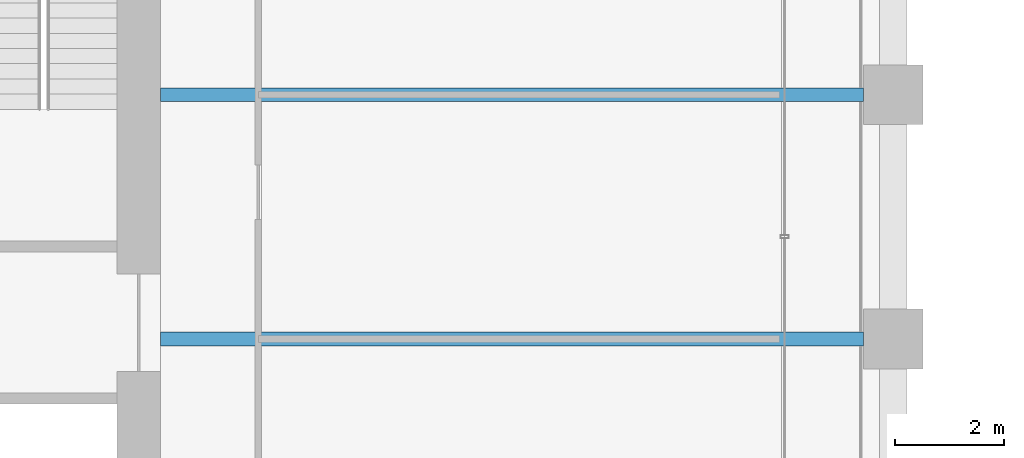
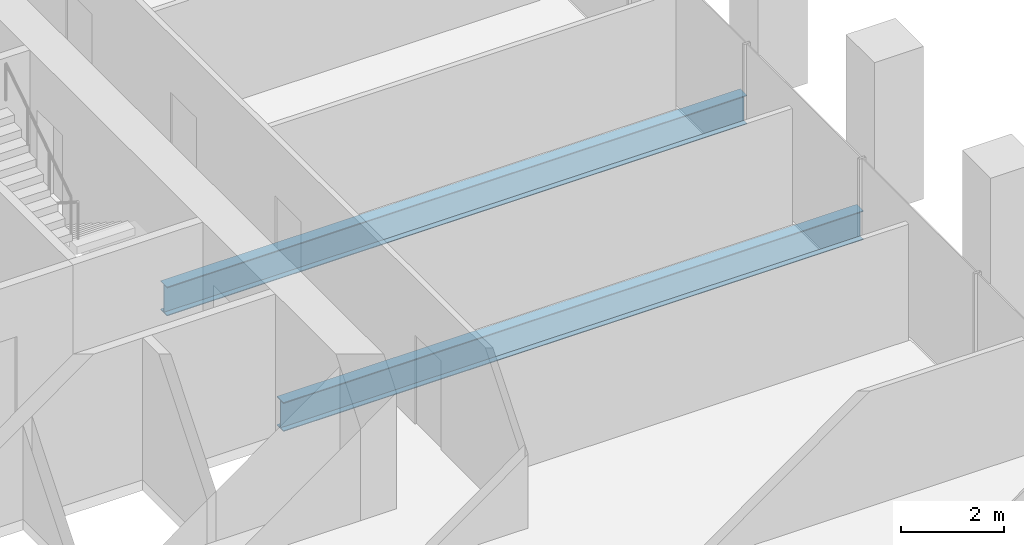
# One storey, part 19 of 56: 2 beams.
"""IFC4 building model written with IfcOpenShell, lengths in metres."""

from ifc_helpers import new_model, si_unit, direction, frame, origin, origin_2d, place, context, subcontext, project, spatial, i_section, extrude, material, material_profile, profile_set, type_object, element, save


model = new_model("IFC4")

# Units and contexts
model_context = context("Model", 3, precision=1e-05, world=origin(), true_north=direction((0.0, 1.0)))
body_context = subcontext(model_context, "Body", "Model", "MODEL_VIEW")
ifc_project = project(units=[si_unit("LENGTHUNIT", "METRE"), si_unit("AREAUNIT", "SQUARE_METRE"), si_unit("VOLUMEUNIT", "CUBIC_METRE"), si_unit("PLANEANGLEUNIT", "RADIAN"), si_unit("MASSUNIT", "GRAM", prefix="KILO")], contexts=[model_context])

# Site, building, storey
site_placement = place(None, origin())
site = spatial("IfcSite", under=ifc_project, at=site_placement, CompositionType="ELEMENT")
building_placement = place(site_placement, origin())
building = spatial("IfcBuilding", under=site, at=building_placement, Name="Altepetl Exchange Towers", CompositionType="ELEMENT")
storey_placement = place(building_placement, frame((0.0, 0.0, 72.60009765625)))
storey = spatial("IfcBuildingStorey", under=building, at=storey_placement, Name="L17", CompositionType="ELEMENT", Elevation=72.60009765625)

# Beams
ifc_material = material(Name="Steel S355", Category="steel")
ifc_material_profile = material_profile(ifc_material, i_section(OverallWidth=0.25390625, OverallDepth=0.68408203125, WebThickness=0.012451171875, FlangeThickness=0.018798828125, at=origin_2d()), Name="W27X94")
ifc_profile_set = profile_set([ifc_material_profile], Name="Steel S355")
beam_type = type_object("IfcBeamType", Name="Floor beam W27X94", PredefinedType="BEAM", material=ifc_profile_set)
for number, where, z_axis, x_axis, name in (
    (1, (58.5, 45.0, -0.4921875), (1.0, 0.0, 0.0), (0.0, 1.0, 0.0), "bm:A:L17:009"),
    (2, (58.5, 49.5, -0.4921875), (1.0, 0.0, 0.0), (0.0, 1.0, 0.0), "bm:A:L17:010"),
):
    element("IfcBeam", number, at=place(storey_placement, frame(where, z_axis=z_axis, x_axis=x_axis)), inside=storey, type_object=beam_type, Name=name, PredefinedType="BEAM", context=body_context, shape_type="SweptSolid", body=[
        extrude(i_section(OverallWidth=0.25390625, OverallDepth=0.68408203125, WebThickness=0.012451171875, FlangeThickness=0.018798828125, at=origin_2d()), origin(), (0.0, 0.0, 1.0), 12.949951171875),
    ])

save(model, "model.ifc")
